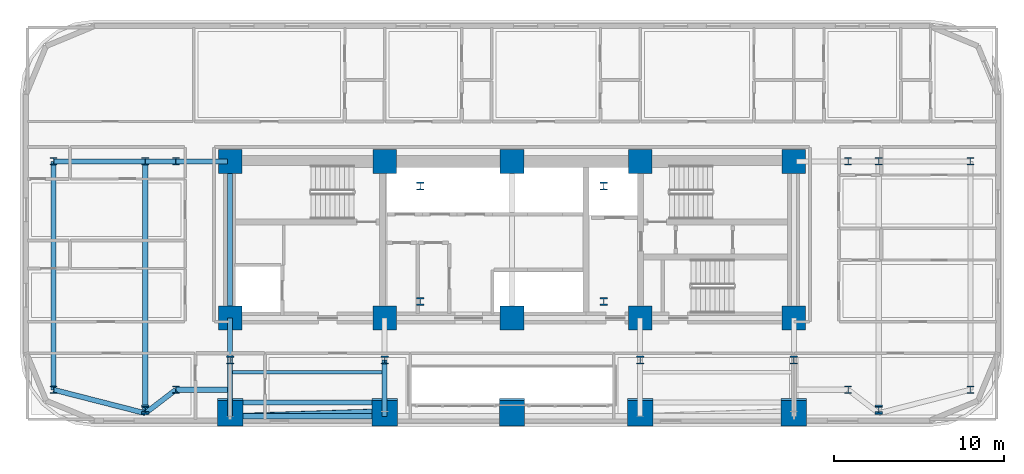
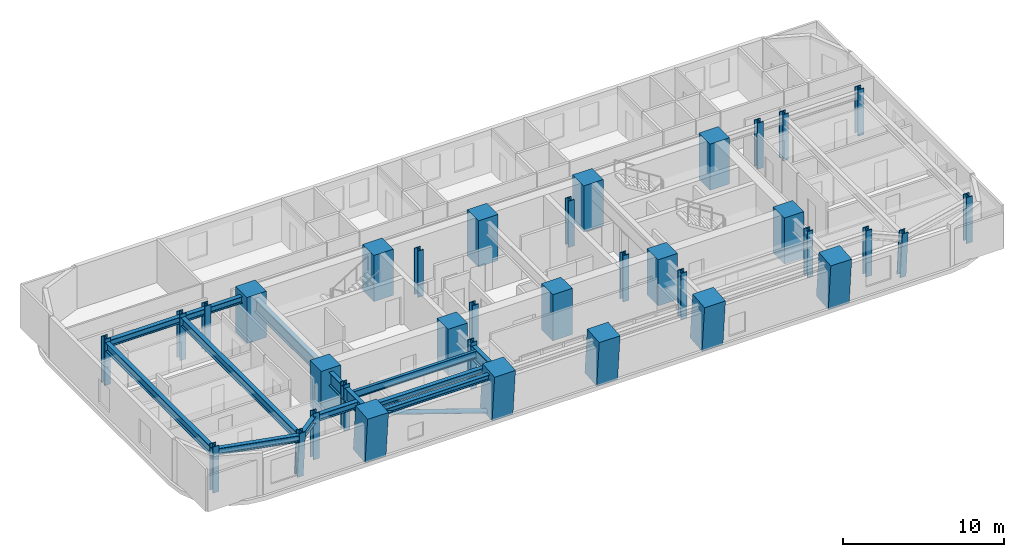
# One storey, part 1 of 15: 35 columns, 15 beams, 1 member.
"""IFC4 building model written with IfcOpenShell, lengths in metres."""

from ifc_helpers import new_model, si_unit, direction, frame, origin, origin_2d, place, context, subcontext, project, spatial, rectangle, hollow_circle, i_section, extrude, material, material_profile, profile_set, type_object, element, save


model = new_model("IFC4")

# Units and contexts
model_context = context("Model", 3, precision=1e-05, world=origin(), true_north=direction((0.0, 1.0)))
body_context = subcontext(model_context, "Body", "Model", "MODEL_VIEW")
ifc_project = project(units=[si_unit("LENGTHUNIT", "METRE"), si_unit("AREAUNIT", "SQUARE_METRE"), si_unit("VOLUMEUNIT", "CUBIC_METRE"), si_unit("PLANEANGLEUNIT", "RADIAN"), si_unit("MASSUNIT", "GRAM", prefix="KILO")], contexts=[model_context])

# Site, building, storey
site_placement = place(None, origin())
site = spatial("IfcSite", under=ifc_project, at=site_placement, CompositionType="ELEMENT")
building_placement = place(site_placement, origin())
building = spatial("IfcBuilding", under=site, at=building_placement, Name="Zarnavel Station Tower", CompositionType="ELEMENT")
storey_placement = place(building_placement, frame((0.0, 0.0, 43.0)))
storey = spatial("IfcBuildingStorey", under=building, at=storey_placement, Name="L11", CompositionType="ELEMENT", Elevation=43.0)

# Columns
ifc_material_1 = material(Name="Steel S460M", Category="steel")
ifc_material_profile_1 = material_profile(ifc_material_1, i_section(OverallWidth=0.424072265625, OverallDepth=0.449951171875, WebThickness=0.041015625, FlangeThickness=0.06494140625, FilletRadius=0.014892578125, at=origin_2d()), Name="HD400x509")
ifc_profile_set_1 = profile_set([ifc_material_profile_1], Name="Steel S460M")
column_type_1 = type_object("IfcColumnType", Name="EC_HD509", PredefinedType="COLUMN", material=ifc_profile_set_1)
for number, where, z_axis, x_axis, name in (
    (1, (1.800048828125, 23.60009765625, 0.0), (0.0, 0.0, 1.0), (1.0, 0.0, 0.0), "L11 Outer Wing South Column 1"),
    (2, (1.800048828125, 37.050048828125, 0.0), (0.0, 0.0, 1.0), (1.0, 0.0, 0.0), "L11 Outer Wing North Column 1"),
):
    element("IfcColumn", number, at=place(storey_placement, frame(where, z_axis=z_axis, x_axis=x_axis)), inside=storey, type_object=column_type_1, Name=name, PredefinedType="COLUMN", context=body_context, shape_type="SweptSolid", body=[
        extrude(i_section(OverallWidth=0.424072265625, OverallDepth=0.449951171875, WebThickness=0.041015625, FlangeThickness=0.06494140625, FilletRadius=0.014892578125, at=origin_2d()), origin(), (0.0, 0.0, 1.0), 3.5),
    ])
for number, where, z_axis, x_axis, name in (
    (3, (7.199951171875, 22.477783203125, 0.0), (0.0, -0.079822602517, 0.996809085095), (1.0, 0.0, 0.0), "L11 Raked Wing Column 2"),
    (4, (50.39990234375, 22.477783203125, 0.0), (0.0, -0.079822602517, 0.996809085095), (1.0, 0.0, 0.0), "L11 Raked Wing Column 3"),
):
    element("IfcColumn", number, at=place(storey_placement, frame(where, z_axis=z_axis, x_axis=x_axis)), inside=storey, type_object=column_type_1, Name=name, PredefinedType="COLUMN", context=body_context, shape_type="SweptSolid", body=[
        extrude(i_section(OverallWidth=0.424072265625, OverallDepth=0.449951171875, WebThickness=0.041015625, FlangeThickness=0.06494140625, FilletRadius=0.014892578125, at=origin_2d()), origin(), (0.0, 0.0, 1.0), 3.51123046875),
    ])
for number, where, z_axis, x_axis, name in (
    (5, (55.800048828125, 23.60009765625, 0.0), (0.0, 0.0, 1.0), (1.0, 0.0, 0.0), "L11 Outer Wing South Column 4"),
    (6, (55.800048828125, 37.050048828125, 0.0), (0.0, 0.0, 1.0), (1.0, 0.0, 0.0), "L11 Outer Wing North Column 4"),
):
    element("IfcColumn", number, at=place(storey_placement, frame(where, z_axis=z_axis, x_axis=x_axis)), inside=storey, type_object=column_type_1, Name=name, PredefinedType="COLUMN", context=body_context, shape_type="SweptSolid", body=[
        extrude(i_section(OverallWidth=0.424072265625, OverallDepth=0.449951171875, WebThickness=0.041015625, FlangeThickness=0.06494140625, FilletRadius=0.014892578125, at=origin_2d()), origin(), (0.0, 0.0, 1.0), 3.5),
    ])
ifc_material_2 = material(Name="Steel S460M", Category="steel")
ifc_material_profile_2 = material_profile(ifc_material_2, i_section(OverallWidth=0.424072265625, OverallDepth=0.449951171875, WebThickness=0.041015625, FlangeThickness=0.06494140625, FilletRadius=0.014892578125, at=origin_2d()), Name="HD400x509")
ifc_profile_set_2 = profile_set([ifc_material_profile_2], Name="Steel S460M")
column_type_2 = type_object("IfcColumnType", Name="IC_HD509", PredefinedType="COLUMN", material=ifc_profile_set_2)
for number, where, z_axis, x_axis, name in (
    (7, (23.39990234375, 28.800048828125, 0.0), (0.0, 0.0, 1.0), (1.0, 0.0, 0.0), "L11 Mast Spine Column 1"),
    (8, (34.199951171875, 28.800048828125, 0.0), (0.0, 0.0, 1.0), (1.0, 0.0, 0.0), "L11 Mast Spine Column 2"),
    (9, (34.199951171875, 35.60009765625, 0.0), (0.0, 0.0, 1.0), (1.0, 0.0, 0.0), "L11 Mast Spine Column 3"),
    (10, (23.39990234375, 35.60009765625, 0.0), (0.0, 0.0, 1.0), (1.0, 0.0, 0.0), "L11 Mast Spine Column 4"),
    (11, (12.199951171875, 25.35009765625, 0.0), (0.0, 0.0, 1.0), (1.0, 0.0, 0.0), "L11 Inner Spine Column 1"),
    (12, (21.300048828125, 25.35009765625, 0.0), (0.0, 0.0, 1.0), (1.0, 0.0, 0.0), "L11 Inner Spine Column 2"),
    (13, (36.35009765625, 25.35009765625, 0.0), (0.0, 0.0, 1.0), (1.0, 0.0, 0.0), "L11 Inner Spine Column 4"),
    (14, (45.39990234375, 25.35009765625, 0.0), (0.0, 0.0, 1.0), (1.0, 0.0, 0.0), "L11 Inner Spine Column 5"),
    (15, (9.0, 23.60009765625, 0.0), (0.0, 0.0, 1.0), (1.0, 0.0, 0.0), "L11 Inner Wing Spine Column 1-1"),
    (16, (9.0, 37.050048828125, 0.0), (0.0, 0.0, 1.0), (1.0, 0.0, 0.0), "L11 Inner Wing Spine Column 1-2"),
    (17, (48.60009765625, 23.60009765625, 0.0), (0.0, 0.0, 1.0), (1.0, 0.0, 0.0), "L11 Inner Wing Spine Column 2-1"),
    (18, (48.60009765625, 37.050048828125, 0.0), (0.0, 0.0, 1.0), (1.0, 0.0, 0.0), "L11 Inner Wing Spine Column 2-2"),
    (19, (7.199951171875, 37.050048828125, 0.0), (0.0, 0.0, 1.0), (1.0, 0.0, 0.0), "L11 Outer Wing North Column 2"),
    (20, (50.39990234375, 37.050048828125, 0.0), (0.0, 0.0, 1.0), (1.0, 0.0, 0.0), "L11 Outer Wing North Column 3"),
):
    element("IfcColumn", number, at=place(storey_placement, frame(where, z_axis=z_axis, x_axis=x_axis)), inside=storey, type_object=column_type_2, Name=name, PredefinedType="COLUMN", context=body_context, shape_type="SweptSolid", body=[
        extrude(i_section(OverallWidth=0.424072265625, OverallDepth=0.449951171875, WebThickness=0.041015625, FlangeThickness=0.06494140625, FilletRadius=0.014892578125, at=origin_2d()), origin(), (0.0, 0.0, 1.0), 3.5),
    ])
ifc_material_3 = material(Name="Concrete C60/75", Category="concrete")
ifc_material_profile_3 = material_profile(ifc_material_3, rectangle(XDim=1.39990234375, YDim=1.39990234375, at=origin_2d()), Name="RC1400x1400")
ifc_profile_set_3 = profile_set([ifc_material_profile_3], Name="Concrete C60/75")
column_type_3 = type_object("IfcColumnType", Name="IC_RC1400", PredefinedType="COLUMN", material=ifc_profile_set_3)
for number, where, z_axis, x_axis, name in (
    (21, (12.199951171875, 27.820068359375, 0.0), (0.0, 0.0, 1.0), (1.0, 0.0, 0.0), "L11 Core Spine Column 1-1"),
    (22, (12.199951171875, 37.050048828125, 0.0), (0.0, 0.0, 1.0), (1.0, 0.0, 0.0), "L11 Core Spine Column 1-2"),
    (23, (21.300048828125, 27.820068359375, 0.0), (0.0, 0.0, 1.0), (1.0, 0.0, 0.0), "L11 Core Spine Column 2-1"),
    (24, (21.300048828125, 37.050048828125, 0.0), (0.0, 0.0, 1.0), (1.0, 0.0, 0.0), "L11 Core Spine Column 2-2"),
    (25, (28.800048828125, 27.820068359375, 0.0), (0.0, 0.0, 1.0), (1.0, 0.0, 0.0), "L11 Core Spine Column 3-1"),
    (26, (28.800048828125, 37.050048828125, 0.0), (0.0, 0.0, 1.0), (1.0, 0.0, 0.0), "L11 Core Spine Column 3-2"),
    (27, (36.35009765625, 27.820068359375, 0.0), (0.0, 0.0, 1.0), (1.0, 0.0, 0.0), "L11 Core Spine Column 4-1"),
    (28, (36.35009765625, 37.050048828125, 0.0), (0.0, 0.0, 1.0), (1.0, 0.0, 0.0), "L11 Core Spine Column 4-2"),
    (29, (45.39990234375, 27.820068359375, 0.0), (0.0, 0.0, 1.0), (1.0, 0.0, 0.0), "L11 Core Spine Column 5-1"),
    (30, (45.39990234375, 37.050048828125, 0.0), (0.0, 0.0, 1.0), (1.0, 0.0, 0.0), "L11 Core Spine Column 5-2"),
):
    element("IfcColumn", number, at=place(storey_placement, frame(where, z_axis=z_axis, x_axis=x_axis)), inside=storey, type_object=column_type_3, Name=name, PredefinedType="COLUMN", context=body_context, shape_type="SweptSolid", body=[
        extrude(rectangle(XDim=1.39990234375, YDim=1.39990234375, at=origin_2d()), origin(), (0.0, 0.0, 1.0), 3.5),
    ])
ifc_material_4 = material(Name="Concrete C60/75", Category="concrete")
ifc_material_profile_4 = material_profile(ifc_material_4, rectangle(XDim=1.5, YDim=1.5, at=origin_2d()), Name="RC1500x1500")
ifc_profile_set_4 = profile_set([ifc_material_profile_4], Name="Concrete C60/75")
column_type_4 = type_object("IfcColumnType", Name="MC_RC1500", PredefinedType="COLUMN", material=ifc_profile_set_4)
for number, where, z_axis, x_axis, name in (
    (31, (12.199951171875, 22.331298828125, 0.0), (0.0, -0.090241349316, 0.995919925935), (1.0, 0.0, 0.0), "L11 Raked South Mega-Column 1"),
    (32, (21.300048828125, 22.331298828125, 0.0), (0.0, -0.090241349316, 0.995919925935), (1.0, 0.0, 0.0), "L11 Raked South Mega-Column 2"),
    (33, (28.800048828125, 22.331298828125, 0.0), (0.0, -0.090241349316, 0.995919925935), (1.0, 0.0, 0.0), "L11 Raked South Mega-Column 3"),
    (34, (36.35009765625, 22.331298828125, 0.0), (0.0, -0.090241349316, 0.995919925935), (1.0, 0.0, 0.0), "L11 Raked South Mega-Column 4"),
    (35, (45.39990234375, 22.331298828125, 0.0), (0.0, -0.090241349316, 0.995919925935), (1.0, 0.0, 0.0), "L11 Raked South Mega-Column 5"),
):
    element("IfcColumn", number, at=place(storey_placement, frame(where, z_axis=z_axis, x_axis=x_axis)), inside=storey, type_object=column_type_4, Name=name, PredefinedType="COLUMN", context=body_context, shape_type="SweptSolid", body=[
        extrude(rectangle(XDim=1.5, YDim=1.5, at=origin_2d()), origin(), (0.0, 0.0, 1.0), 3.514404296875),
    ])

# Member
ifc_material_5 = material(Name="Steel S355J2", Category="steel")
ifc_material_profile_5 = material_profile(ifc_material_5, hollow_circle(Radius=0.161865234375, WallThickness=0.012451171875, at=origin_2d()), Name="CHS323.9x12.5")
ifc_profile_set_5 = profile_set([ifc_material_profile_5], Name="Steel S355J2")
member_type = type_object("IfcMemberType", Name="DB_EXT_CHS324", PredefinedType="BRACE", material=ifc_profile_set_5)
member_placement = place(storey_placement, frame((21.300048828125, 22.331298828125, 0.0), z_axis=(-0.941635675338, -0.030390827854, 0.335259082669), x_axis=(0.032257711549, -0.999479584607, 0.0)))
element("IfcMember", 36, at=member_placement, inside=storey, type_object=member_type, Name="L11 Persian Exterior Diagonal Frame Brace 1", PredefinedType="BRACE", context=body_context, shape_type="SweptSolid", body=[
    extrude(hollow_circle(Radius=0.161865234375, WallThickness=0.012451171875, at=origin_2d()), origin(), (0.0, 0.0, 1.0), 9.6640625),
])

# Beams
ifc_material_6 = material(Name="Steel S355J2", Category="steel")
ifc_material_profile_6 = material_profile(ifc_material_6, i_section(OverallWidth=0.300048828125, OverallDepth=0.39990234375, WebThickness=0.013427734375, FlangeThickness=0.02392578125, FilletRadius=0.027099609375, at=origin_2d()), Name="HEB400")
ifc_profile_set_6 = profile_set([ifc_material_profile_6], Name="Steel S355J2")
beam_type_1 = type_object("IfcBeamType", Name="EB_HEB400", PredefinedType="SPANDREL", material=ifc_profile_set_6)
beam_1_placement = place(storey_placement, frame((12.199951171875, 22.03759765625, 3.0400390625), z_axis=(1.0, 0.0, 0.0), x_axis=(0.0, 1.0, 0.0)))
element("IfcBeam", 37, at=beam_1_placement, inside=storey, type_object=beam_type_1, Name="L11 South Raked Spandrel 1", PredefinedType="SPANDREL", context=body_context, shape_type="SweptSolid", body=[
    extrude(i_section(OverallWidth=0.300048828125, OverallDepth=0.39990234375, WebThickness=0.013427734375, FlangeThickness=0.02392578125, FilletRadius=0.027099609375, at=origin_2d()), origin(), (0.0, 0.0, 1.0), 9.10009765625),
])
ifc_material_7 = material(Name="Steel S355J2", Category="steel")
ifc_material_profile_7 = material_profile(ifc_material_7, i_section(OverallWidth=0.300048828125, OverallDepth=0.389892578125, WebThickness=0.010986328125, FlangeThickness=0.01904296875, FilletRadius=0.027099609375, at=origin_2d()), Name="HEA400")
ifc_profile_set_7 = profile_set([ifc_material_profile_7], Name="Steel S355J2")
beam_type_2 = type_object("IfcBeamType", Name="FB_HEA400", PredefinedType="BEAM", material=ifc_profile_set_7)
beam_2_placement = place(storey_placement, frame((12.344970703125, 22.8583984375, 3.044921875), z_axis=(1.0, 0.0, 0.0), x_axis=(0.0, 1.0, 0.0)))
element("IfcBeam", 38, at=beam_2_placement, inside=storey, type_object=beam_type_2, Name="L11 West Bay Beam 1", PredefinedType="BEAM", context=body_context, shape_type="SweptSolid", body=[
    extrude(i_section(OverallWidth=0.300048828125, OverallDepth=0.389892578125, WebThickness=0.010986328125, FlangeThickness=0.01904296875, FilletRadius=0.027099609375, at=origin_2d()), origin(), (0.0, 0.0, 1.0), 8.81005859375),
])
ifc_material_8 = material(Name="Steel S355J2", Category="steel")
ifc_material_profile_8 = material_profile(ifc_material_8, i_section(OverallWidth=0.2099609375, OverallDepth=0.550048828125, WebThickness=0.010986328125, FlangeThickness=0.01708984375, FilletRadius=0.02392578125, at=origin_2d()), Name="IPE550")
ifc_profile_set_8 = profile_set([ifc_material_profile_8], Name="Steel S355J2")
beam_type_3 = type_object("IfcBeamType", Name="FB_IPE550", PredefinedType="BEAM", material=ifc_profile_set_8)
beam_3_placement = place(storey_placement, frame((12.344970703125, 24.629150390625, 2.965087890625), z_axis=(1.0, 0.0, 0.0), x_axis=(0.0, 1.0, 0.0)))
element("IfcBeam", 39, at=beam_3_placement, inside=storey, type_object=beam_type_3, Name="L11 West Bay Beam 2", PredefinedType="BEAM", context=body_context, shape_type="SweptSolid", body=[
    extrude(i_section(OverallWidth=0.2099609375, OverallDepth=0.550048828125, WebThickness=0.010986328125, FlangeThickness=0.01708984375, FilletRadius=0.02392578125, at=origin_2d()), origin(), (0.0, 0.0, 1.0), 8.81005859375),
])
ifc_material_9 = material(Name="Steel S355J2", Category="steel")
ifc_material_profile_9 = material_profile(ifc_material_9, i_section(OverallWidth=0.300048828125, OverallDepth=0.5, WebThickness=0.014404296875, FlangeThickness=0.028076171875, FilletRadius=0.027099609375, at=origin_2d()), Name="HEB500")
ifc_profile_set_9 = profile_set([ifc_material_profile_9], Name="Steel S355J2")
beam_type_4 = type_object("IfcBeamType", Name="FG_HEB500", PredefinedType="USERDEFINED", material=ifc_profile_set_9)
beam_4_placement = place(storey_placement, frame((1.800048828125, 23.60009765625, 2.989990234375), z_axis=(0.968782646391, -0.247911645654, 0.0), x_axis=(0.247911645654, 0.968782646391, 0.0)))
element("IfcBeam", 40, at=beam_4_placement, inside=storey, type_object=beam_type_4, Name="L11 West Wing South Tie 1", ObjectType="GIRDER", PredefinedType="USERDEFINED", context=body_context, shape_type="SweptSolid", body=[
    extrude(i_section(OverallWidth=0.300048828125, OverallDepth=0.5, WebThickness=0.014404296875, FlangeThickness=0.028076171875, FilletRadius=0.027099609375, at=origin_2d()), origin(), (0.0, 0.0, 1.0), 5.573974609375),
])
beam_5_placement = place(storey_placement, frame((1.800048828125, 37.050048828125, 2.989990234375), z_axis=(1.0, 0.0, 0.0), x_axis=(0.0, 1.0, 0.0)))
element("IfcBeam", 41, at=beam_5_placement, inside=storey, type_object=beam_type_4, Name="L11 West Wing North Tie 1", ObjectType="GIRDER", PredefinedType="USERDEFINED", context=body_context, shape_type="SweptSolid", body=[
    extrude(i_section(OverallWidth=0.300048828125, OverallDepth=0.5, WebThickness=0.014404296875, FlangeThickness=0.028076171875, FilletRadius=0.027099609375, at=origin_2d()), origin(), (0.0, 0.0, 1.0), 5.39990234375),
])
beam_6_placement = place(storey_placement, frame((7.199951171875, 22.21826171875, 2.989990234375), z_axis=(0.793223521263, 0.608930575119, 0.0), x_axis=(-0.608930575119, 0.793223521263, 0.0)))
element("IfcBeam", 42, at=beam_6_placement, inside=storey, type_object=beam_type_4, Name="L11 West Wing South Tie 2", ObjectType="GIRDER", PredefinedType="USERDEFINED", context=body_context, shape_type="SweptSolid", body=[
    extrude(i_section(OverallWidth=0.300048828125, OverallDepth=0.5, WebThickness=0.014404296875, FlangeThickness=0.028076171875, FilletRadius=0.027099609375, at=origin_2d()), origin(), (0.0, 0.0, 1.0), 2.269287109375),
])
beam_7_placement = place(storey_placement, frame((7.199951171875, 37.050048828125, 2.989990234375), z_axis=(1.0, 0.0, 0.0), x_axis=(0.0, 1.0, 0.0)))
element("IfcBeam", 43, at=beam_7_placement, inside=storey, type_object=beam_type_4, Name="L11 West Wing North Tie 2", ObjectType="GIRDER", PredefinedType="USERDEFINED", context=body_context, shape_type="SweptSolid", body=[
    extrude(i_section(OverallWidth=0.300048828125, OverallDepth=0.5, WebThickness=0.014404296875, FlangeThickness=0.028076171875, FilletRadius=0.027099609375, at=origin_2d()), origin(), (0.0, 0.0, 1.0), 1.800048828125),
])
for number, where, z_axis, x_axis, name in (
    (44, (9.0, 23.60009765625, 2.989990234375), (1.0, 0.0, 0.0), (0.0, 1.0, 0.0), "L11 West Wing South Tie 3"),
    (45, (9.0, 37.050048828125, 2.989990234375), (1.0, 0.0, 0.0), (0.0, 1.0, 0.0), "L11 West Wing North Tie 3"),
):
    element("IfcBeam", number, at=place(storey_placement, frame(where, z_axis=z_axis, x_axis=x_axis)), inside=storey, type_object=beam_type_4, Name=name, ObjectType="GIRDER", PredefinedType="USERDEFINED", context=body_context, shape_type="SweptSolid", body=[
        extrude(i_section(OverallWidth=0.300048828125, OverallDepth=0.5, WebThickness=0.014404296875, FlangeThickness=0.028076171875, FilletRadius=0.027099609375, at=origin_2d()), origin(), (0.0, 0.0, 1.0), 3.054931640625),
    ])
ifc_material_10 = material(Name="Steel S355J2", Category="steel")
ifc_material_profile_10 = material_profile(ifc_material_10, i_section(OverallWidth=0.300048828125, OverallDepth=0.64990234375, WebThickness=0.01611328125, FlangeThickness=0.031005859375, FilletRadius=0.027099609375, at=origin_2d()), Name="HEB650")
ifc_profile_set_10 = profile_set([ifc_material_profile_10], Name="Steel S355J2")
beam_type_5 = type_object("IfcBeamType", Name="FG_HEB650", PredefinedType="USERDEFINED", material=ifc_profile_set_10)
beam_8_placement = place(storey_placement, frame((1.800048828125, 23.60009765625, 2.9150390625), z_axis=(0.0, 1.0, 0.0), x_axis=(-1.0, 0.0, 0.0)))
element("IfcBeam", 46, at=beam_8_placement, inside=storey, type_object=beam_type_5, Name="L11 Wing NS Girder 1", ObjectType="GIRDER", PredefinedType="USERDEFINED", context=body_context, shape_type="SweptSolid", body=[
    extrude(i_section(OverallWidth=0.300048828125, OverallDepth=0.64990234375, WebThickness=0.01611328125, FlangeThickness=0.031005859375, FilletRadius=0.027099609375, at=origin_2d()), origin(), (0.0, 0.0, 1.0), 13.449951171875),
])
beam_9_placement = place(storey_placement, frame((7.199951171875, 22.21826171875, 2.9150390625), z_axis=(0.0, 1.0, 0.0), x_axis=(-1.0, 0.0, 0.0)))
element("IfcBeam", 47, at=beam_9_placement, inside=storey, type_object=beam_type_5, Name="L11 Wing NS Girder 2", ObjectType="GIRDER", PredefinedType="USERDEFINED", context=body_context, shape_type="SweptSolid", body=[
    extrude(i_section(OverallWidth=0.300048828125, OverallDepth=0.64990234375, WebThickness=0.01611328125, FlangeThickness=0.031005859375, FilletRadius=0.027099609375, at=origin_2d()), origin(), (0.0, 0.0, 1.0), 14.831787109375),
])
ifc_material_11 = material(Name="Steel S460M", Category="steel")
ifc_material_profile_11 = material_profile(ifc_material_11, i_section(OverallWidth=0.302001953125, OverallDepth=1.008056640625, WebThickness=0.02099609375, FlangeThickness=0.0400390625, FilletRadius=0.030029296875, at=origin_2d()), Name="HEM1000")
ifc_profile_set_11 = profile_set([ifc_material_profile_11], Name="Steel S460M")
beam_type_6 = type_object("IfcBeamType", Name="TG_HEM1000", PredefinedType="USERDEFINED", material=ifc_profile_set_11)
beam_10_placement = place(storey_placement, frame((12.199951171875, 27.820068359375, 2.736083984375), z_axis=(0.0, 1.0, 0.0), x_axis=(-1.0, 0.0, 0.0)))
element("IfcBeam", 48, at=beam_10_placement, inside=storey, type_object=beam_type_6, Name="L11 Core Spine Coupling Girder 1", ObjectType="GIRDER", PredefinedType="USERDEFINED", context=body_context, shape_type="SweptSolid", body=[
    extrude(i_section(OverallWidth=0.302001953125, OverallDepth=1.008056640625, WebThickness=0.02099609375, FlangeThickness=0.0400390625, FilletRadius=0.030029296875, at=origin_2d()), origin(), (0.0, 0.0, 1.0), 9.22998046875),
])
beam_11_placement = place(storey_placement, frame((12.199951171875, 22.03759765625, 2.736083984375), z_axis=(0.0, 1.0, 0.0), x_axis=(-1.0, 0.0, 0.0)))
element("IfcBeam", 49, at=beam_11_placement, inside=storey, type_object=beam_type_6, Name="L11 South-Zone NS Girder 1", ObjectType="GIRDER", PredefinedType="USERDEFINED", context=body_context, shape_type="SweptSolid", body=[
    extrude(i_section(OverallWidth=0.302001953125, OverallDepth=1.008056640625, WebThickness=0.02099609375, FlangeThickness=0.0400390625, FilletRadius=0.030029296875, at=origin_2d()), origin(), (0.0, 0.0, 1.0), 3.3125),
])
beam_12_placement = place(storey_placement, frame((12.199951171875, 25.35009765625, 2.736083984375), z_axis=(0.0, 1.0, 0.0), x_axis=(-1.0, 0.0, 0.0)))
element("IfcBeam", 50, at=beam_12_placement, inside=storey, type_object=beam_type_6, Name="L11 Inner-Zone NS Girder 1", ObjectType="GIRDER", PredefinedType="USERDEFINED", context=body_context, shape_type="SweptSolid", body=[
    extrude(i_section(OverallWidth=0.302001953125, OverallDepth=1.008056640625, WebThickness=0.02099609375, FlangeThickness=0.0400390625, FilletRadius=0.030029296875, at=origin_2d()), origin(), (0.0, 0.0, 1.0), 2.469970703125),
])
beam_13_placement = place(storey_placement, frame((21.300048828125, 22.03759765625, 2.736083984375), z_axis=(0.0, 1.0, 0.0), x_axis=(-1.0, 0.0, 0.0)))
element("IfcBeam", 51, at=beam_13_placement, inside=storey, type_object=beam_type_6, Name="L11 South-Zone NS Girder 2", ObjectType="GIRDER", PredefinedType="USERDEFINED", context=body_context, shape_type="SweptSolid", body=[
    extrude(i_section(OverallWidth=0.302001953125, OverallDepth=1.008056640625, WebThickness=0.02099609375, FlangeThickness=0.0400390625, FilletRadius=0.030029296875, at=origin_2d()), origin(), (0.0, 0.0, 1.0), 3.3125),
])

save(model, "model.ifc")
